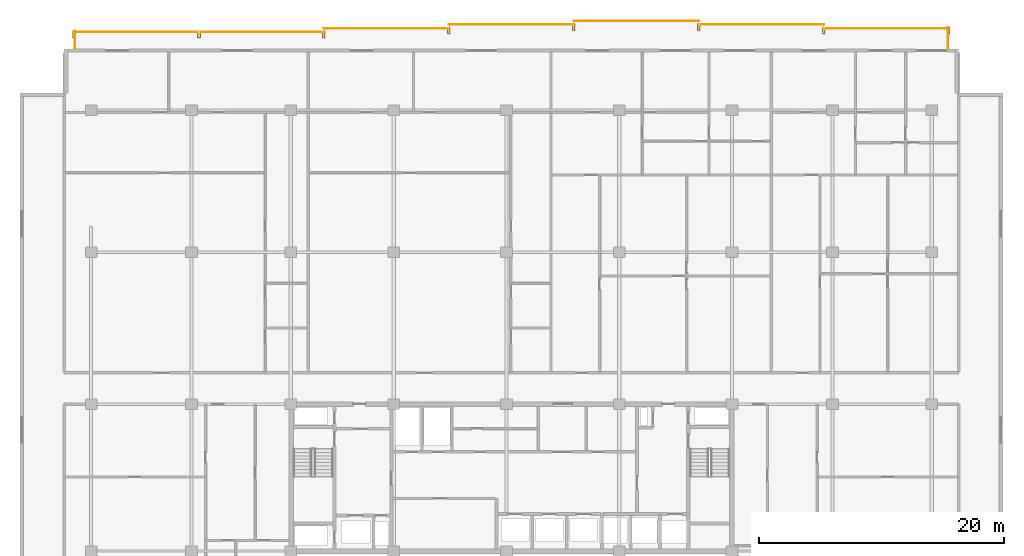
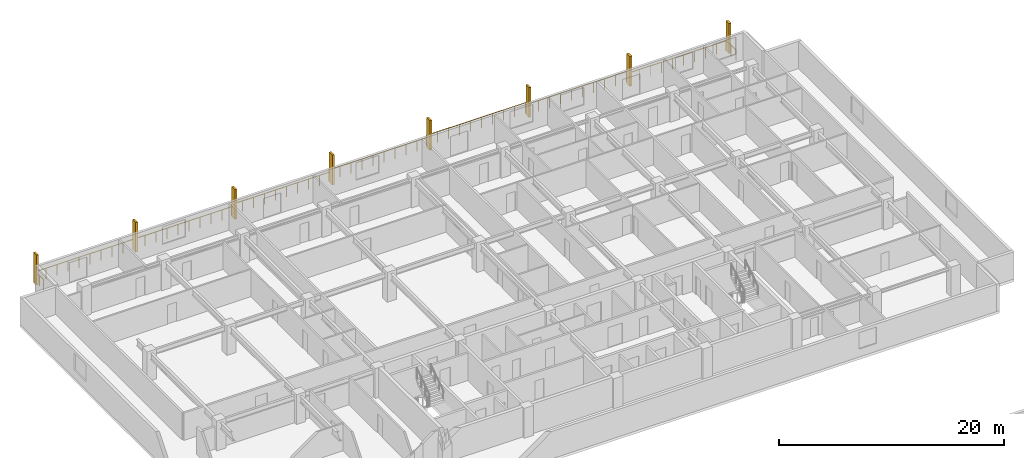
# One storey, part 21 of 21: 8 railings, 8 shading devices.
"""IFC4 building model written with IfcOpenShell, lengths in metres."""

import ifcopenshell
import ifcopenshell.guid

model = None  # the IFC model being written
_history = None  # IfcOwnerHistory: only IFC2X3 demands one
_inside = {}  # id of a spatial element -> (the spatial element, [elements in it])
_under = {}  # id of a project, library or spatial element -> (it, [spatial elements below it])
_declared = {}  # id of a project -> (the project, [libraries it declares])
_typed = {}  # id of a type object -> (the type object, [elements of that type])
_made_of = {}  # id of a material, layer set ... -> (it, [elements and type objects made of it])


def new_model(schema):
    """Start an empty IFC model of exactly this schema.

    Asked for "IFC4X3", IfcOpenShell would pick the latest addendum, in which some entities
    have other attributes; the version numbers below select the first issue.
    IFC2X3 requires an IfcOwnerHistory on every rooted entity: one is made here for all.
    """
    global model, _history
    if schema == "IFC4X3":
        model = ifcopenshell.file(schema_version=(4, 3, 0, 0))
    else:
        model = ifcopenshell.file(schema=schema)
    _inside.clear()
    _under.clear()
    _declared.clear()
    _typed.clear()
    _made_of.clear()
    _history = None
    if model.schema == "IFC2X3":
        org = make("IfcOrganization", Name="unknown")
        user = make(
            "IfcPersonAndOrganization",
            ThePerson=make("IfcPerson", FamilyName="unknown"),
            TheOrganization=org,
        )
        app = make(
            "IfcApplication",
            ApplicationDeveloper=org,
            Version="unknown",
            ApplicationFullName="unknown",
            ApplicationIdentifier="unknown",
        )
        _history = make(
            "IfcOwnerHistory",
            OwningUser=user,
            OwningApplication=app,
            ChangeAction="ADDED",
            CreationDate=0,
        )
    return model


def make(cls, **values):
    """One entity of the class cls with the attributes given. An attribute that is None is left unset."""
    return model.create_entity(
        cls, **{name: value for name, value in values.items() if value is not None}
    )


def rooted(cls, **values):
    """An entity with a GlobalId (a new one), such as an element, a storey or a relation."""
    return make(cls, GlobalId=ifcopenshell.guid.new(), OwnerHistory=_history, **values)


def si_unit(unit_type, name, prefix=None):
    """IfcSIUnit, for example si_unit("LENGTHUNIT", "METRE", prefix="MILLI")."""
    return make("IfcSIUnit", UnitType=unit_type, Prefix=prefix, Name=name)


def assignment(units):
    """IfcUnitAssignment: the units of a project."""
    return None if units is None else make("IfcUnitAssignment", Units=units)


def point(xyz):
    """IfcCartesianPoint."""
    return None if xyz is None else make("IfcCartesianPoint", Coordinates=xyz)


def direction(xyz):
    """IfcDirection."""
    return None if xyz is None else make("IfcDirection", DirectionRatios=xyz)


def frame(location, z_axis=None, x_axis=None):
    """IfcAxis2Placement3D, a coordinate frame: its origin and axes. An axis left out is left unset."""
    return make(
        "IfcAxis2Placement3D",
        Location=point(location),
        Axis=direction(z_axis),
        RefDirection=direction(x_axis),
    )


def frame_2d(location, x_axis=None):
    """IfcAxis2Placement2D, a coordinate frame in the plane: its origin and x axis."""
    return make(
        "IfcAxis2Placement2D", Location=point(location), RefDirection=direction(x_axis)
    )


def origin():
    """The frame at (0, 0, 0) with its axes left unset."""
    return frame((0.0, 0.0, 0.0))


def origin_2d():
    """The frame at (0, 0) in the plane with its x axis left unset."""
    return frame_2d((0.0, 0.0))


def place(relative_to, where):
    """IfcLocalPlacement: puts the frame where relative to a parent placement (None: the world)."""
    return make(
        "IfcLocalPlacement", PlacementRelTo=relative_to, RelativePlacement=where
    )


def context(
    kind, dimensions, precision=None, world=None, true_north=None, identifier=None
):
    """IfcGeometricRepresentationContext, for example the 3D "Model" context."""
    return make(
        "IfcGeometricRepresentationContext",
        ContextIdentifier=identifier,
        ContextType=kind,
        CoordinateSpaceDimension=dimensions,
        Precision=precision,
        WorldCoordinateSystem=world,
        TrueNorth=true_north,
    )


def subcontext(parent, identifier, kind, view, scale=None):
    """IfcGeometricRepresentationSubContext, for example "Body" below "Model"."""
    return make(
        "IfcGeometricRepresentationSubContext",
        ContextIdentifier=identifier,
        ContextType=kind,
        ParentContext=parent,
        TargetScale=scale,
        TargetView=view,
    )


def project(units=None, contexts=None):
    """IfcProject with its units and contexts."""
    return rooted(
        "IfcProject",
        Name="project",
        RepresentationContexts=contexts,
        UnitsInContext=assignment(units),
    )


def spatial(cls, under=None, at=None, **own):
    """A site, building, storey or space (cls), placed at a placement, below another one or the project."""
    s = rooted(cls, ObjectPlacement=at, **own)
    if under is not None:
        _under.setdefault(under.id(), (under, []))[1].append(s)
    return s


def profile(cls, at=None, kind="AREA", **sizes):
    """A parametric profile (cls). Its sizes go by their IFC names, for example OverallWidth=200.0."""
    return make(cls, ProfileType=kind, Position=at, **sizes)


def rectangle(**sizes):
    """IfcRectangleProfileDef."""
    return profile("IfcRectangleProfileDef", **sizes)


def circle(**sizes):
    """IfcCircleProfileDef."""
    return profile("IfcCircleProfileDef", **sizes)


def extrude(swept, where, along, depth):
    """IfcExtrudedAreaSolid: the profile swept, set in the frame where, extruded along a direction by depth."""
    return make(
        "IfcExtrudedAreaSolid",
        SweptArea=swept,
        Position=where,
        ExtrudedDirection=direction(along),
        Depth=depth,
    )


def shape(context_of_items, identifier, shape_type, items):
    """IfcShapeRepresentation: the items that make up one representation, for example the "Body"."""
    return make(
        "IfcShapeRepresentation",
        ContextOfItems=context_of_items,
        RepresentationIdentifier=identifier,
        RepresentationType=shape_type,
        Items=items,
    )


def material(Name=None, Category=None):
    """IfcMaterial."""
    return make("IfcMaterial", Name=Name, Category=Category)


def made_of(thing, what):
    """Note that an element or type object is made of a material, layer set ...; save() writes the relation."""
    if what is not None:
        _made_of.setdefault(what.id(), (what, []))[1].append(thing)
    return thing


def type_object(cls, material=None, **own):
    """A type object (cls), such as IfcWallType, which elements share."""
    return made_of(rooted(cls, **own), material)


def element(
    cls,
    number,
    at=None,
    inside=None,
    cuts=None,
    type_object=None,
    material=None,
    context=None,
    identifier="Body",
    shape_type=None,
    held_by="IfcProductDefinitionShape",
    body=None,
    shapes=None,
    **own,
):
    """One element of the class cls, such as IfcWall. Its Tag is "e" and its number.

    at: its placement. inside: the storey or other place that contains it. cuts: it is an
    opening in that element (IfcRelVoidsElement). A single representation is given by context,
    identifier, shape_type and body (its items); several are given by shapes. held_by: the class
    of the entity that holds the representations. save() writes the other relations.
    """
    e = rooted(cls, Tag="e%d" % number, ObjectPlacement=at, **own)
    if body is not None:
        shapes = [shape(context, identifier, shape_type, body)]
    if shapes is not None:
        e.Representation = make(held_by, Representations=shapes)
    if inside is not None:
        _inside.setdefault(inside.id(), (inside, []))[1].append(e)
    if cuts is not None:
        rooted(
            "IfcRelVoidsElement", RelatingBuildingElement=cuts, RelatedOpeningElement=e
        )
    if type_object is not None:
        _typed.setdefault(type_object.id(), (type_object, []))[1].append(e)
    return made_of(e, material)


def aggregate(whole, parts):
    """IfcRelAggregates: a whole, such as a stair, and the parts it consists of."""
    return rooted("IfcRelAggregates", RelatingObject=whole, RelatedObjects=parts)


def save(model, path):
    """Write the relations noted so far, then the file.

    IfcRelAggregates (storeys below a building ...), IfcRelContainedInSpatialStructure (elements
    in a storey), IfcRelDefinesByType, IfcRelAssociatesMaterial and IfcRelDeclares: one each for
    every whole, place, type object, material and project.
    """
    for whole, parts in _under.values():
        aggregate(whole, parts)
    for where, things in _inside.values():
        rooted(
            "IfcRelContainedInSpatialStructure",
            RelatedElements=things,
            RelatingStructure=where,
        )
    for kind, things in _typed.values():
        rooted("IfcRelDefinesByType", RelatedObjects=things, RelatingType=kind)
    for what, things in _made_of.values():
        rooted("IfcRelAssociatesMaterial", RelatedObjects=things, RelatingMaterial=what)
    for by, libraries in _declared.values():
        rooted("IfcRelDeclares", RelatingContext=by, RelatedDefinitions=libraries)
    model.write(path)


model = new_model("IFC4")

# Units and contexts
model_context = context("Model", 3, precision=1e-05, world=origin(), true_north=direction((0.0, 1.0)))
body_context = subcontext(model_context, "Body", "Model", "MODEL_VIEW")
ifc_project = project(units=[si_unit("LENGTHUNIT", "METRE"), si_unit("AREAUNIT", "SQUARE_METRE"), si_unit("VOLUMEUNIT", "CUBIC_METRE"), si_unit("PLANEANGLEUNIT", "RADIAN"), si_unit("MASSUNIT", "GRAM", prefix="KILO")], contexts=[model_context])

# Site, building, storey
site_placement = place(None, origin())
site = spatial("IfcSite", under=ifc_project, at=site_placement, CompositionType="ELEMENT")
building_placement = place(site_placement, origin())
building = spatial("IfcBuilding", under=site, at=building_placement, Name="Korimba Cascade Residences", CompositionType="ELEMENT")
storey_placement = place(building_placement, frame((0.0, 0.0, 123.050048828125)))
storey = spatial("IfcBuildingStorey", under=building, at=storey_placement, Name="L35", CompositionType="ELEMENT", Elevation=123.050048828125)

# Railings
ifc_material_1 = material(Name="Laminated Glass and Bronze Balustrade", Category="glass")
railing_type = type_object("IfcRailingType", Name="RLG-LOG-1150", PredefinedType="BALUSTRADE", material=ifc_material_1)
railing_1_placement = place(storey_placement, frame((129.719970703125, 96.199951171875, 0.0)))
element("IfcRailing", 1, at=railing_1_placement, inside=storey, type_object=railing_type, Name="L35 Perimeter Guardrail RLG-L35-T1-LOG-01", PredefinedType="BALUSTRADE", context=body_context, shape_type="SweptSolid", body=[
    extrude(circle(Radius=0.02392578125, at=origin_2d()), frame((0.0, 0.0, 1.1259765625), z_axis=(0.0, 1.0, 0.0), x_axis=(-1.0, 0.0, 0.0)), (0.0, 0.0, 1.0), 1.75),
    extrude(circle(Radius=0.02099609375, at=origin_2d()), origin(), (0.0, 0.0, 1.0), 1.101806640625),
    extrude(circle(Radius=0.02099609375, at=origin_2d()), frame((0.0, 0.875, 0.0)), (0.0, 0.0, 1.0), 1.101806640625),
    extrude(circle(Radius=0.02099609375, at=origin_2d()), frame((0.0, 1.75, 0.0)), (0.0, 0.0, 1.0), 1.101806640625),
])
railing_2_placement = place(storey_placement, frame((129.800048828125, 97.8701171875, 0.0)))
element("IfcRailing", 2, at=railing_2_placement, inside=storey, type_object=railing_type, Name="L35 Perimeter Guardrail RLG-L35-T1-LOG-02", PredefinedType="BALUSTRADE", context=body_context, shape_type="SweptSolid", body=[
    extrude(circle(Radius=0.02392578125, at=origin_2d()), frame((0.0, 0.0, 1.1259765625), z_axis=(-1.0, 0.0, 0.0), x_axis=(0.0, -1.0, 0.0)), (0.0, 0.0, 1.0), 10.199951171875),
    extrude(circle(Radius=0.02099609375, at=origin_2d()), origin(), (0.0, 0.0, 1.0), 1.101806640625),
    extrude(circle(Radius=0.02099609375, at=origin_2d()), frame((-1.13330078125, 0.0, 0.0)), (0.0, 0.0, 1.0), 1.101806640625),
    extrude(circle(Radius=0.02099609375, at=origin_2d()), frame((-2.2666015625, 0.0, 0.0)), (0.0, 0.0, 1.0), 1.101806640625),
    extrude(circle(Radius=0.02099609375, at=origin_2d()), frame((-3.39990234375, 0.0, 0.0)), (0.0, 0.0, 1.0), 1.101806640625),
    extrude(circle(Radius=0.02099609375, at=origin_2d()), frame((-4.533203125, 0.0, 0.0)), (0.0, 0.0, 1.0), 1.101806640625),
    extrude(circle(Radius=0.02099609375, at=origin_2d()), frame((-5.666748046875, 0.0, 0.0)), (0.0, 0.0, 1.0), 1.101806640625),
    extrude(circle(Radius=0.02099609375, at=origin_2d()), frame((-6.800048828125, 0.0, 0.0)), (0.0, 0.0, 1.0), 1.101806640625),
    extrude(circle(Radius=0.02099609375, at=origin_2d()), frame((-7.933349609375, 0.0, 0.0)), (0.0, 0.0, 1.0), 1.101806640625),
    extrude(circle(Radius=0.02099609375, at=origin_2d()), frame((-9.066650390625, 0.0, 0.0)), (0.0, 0.0, 1.0), 1.101806640625),
    extrude(circle(Radius=0.02099609375, at=origin_2d()), frame((-10.199951171875, 0.0, 0.0)), (0.0, 0.0, 1.0), 1.101806640625),
])
railing_3_placement = place(storey_placement, frame((119.60009765625, 98.169921875, 0.0)))
element("IfcRailing", 3, at=railing_3_placement, inside=storey, type_object=railing_type, Name="L35 Perimeter Guardrail RLG-L35-T1-LOG-03", PredefinedType="BALUSTRADE", context=body_context, shape_type="SweptSolid", body=[
    extrude(circle(Radius=0.02392578125, at=origin_2d()), frame((0.0, 0.0, 1.1259765625), z_axis=(-1.0, 0.0, 0.0), x_axis=(0.0, -1.0, 0.0)), (0.0, 0.0, 1.0), 10.2001953125),
    extrude(circle(Radius=0.02099609375, at=origin_2d()), origin(), (0.0, 0.0, 1.0), 1.101806640625),
    extrude(circle(Radius=0.02099609375, at=origin_2d()), frame((-1.13330078125, 0.0, 0.0)), (0.0, 0.0, 1.0), 1.101806640625),
    extrude(circle(Radius=0.02099609375, at=origin_2d()), frame((-2.2666015625, 0.0, 0.0)), (0.0, 0.0, 1.0), 1.101806640625),
    extrude(circle(Radius=0.02099609375, at=origin_2d()), frame((-3.400146484375, 0.0, 0.0)), (0.0, 0.0, 1.0), 1.101806640625),
    extrude(circle(Radius=0.02099609375, at=origin_2d()), frame((-4.533447265625, 0.0, 0.0)), (0.0, 0.0, 1.0), 1.101806640625),
    extrude(circle(Radius=0.02099609375, at=origin_2d()), frame((-5.666748046875, 0.0, 0.0)), (0.0, 0.0, 1.0), 1.101806640625),
    extrude(circle(Radius=0.02099609375, at=origin_2d()), frame((-6.800048828125, 0.0, 0.0)), (0.0, 0.0, 1.0), 1.101806640625),
    extrude(circle(Radius=0.02099609375, at=origin_2d()), frame((-7.93359375, 0.0, 0.0)), (0.0, 0.0, 1.0), 1.101806640625),
    extrude(circle(Radius=0.02099609375, at=origin_2d()), frame((-9.06689453125, 0.0, 0.0)), (0.0, 0.0, 1.0), 1.101806640625),
    extrude(circle(Radius=0.02099609375, at=origin_2d()), frame((-10.2001953125, 0.0, 0.0)), (0.0, 0.0, 1.0), 1.101806640625),
])
for number, where, name in (
    (4, (109.39990234375, 98.469970703125, 0.0), "L35 Perimeter Guardrail RLG-L35-T1-LOG-04"),
    (5, (99.199951171875, 98.169921875, 0.0), "L35 Perimeter Guardrail RLG-L35-T1-LOG-05"),
    (6, (89.0, 97.8701171875, 0.0), "L35 Perimeter Guardrail RLG-L35-T1-LOG-06"),
):
    element("IfcRailing", number, at=place(storey_placement, frame(where)), inside=storey, type_object=railing_type, Name=name, PredefinedType="BALUSTRADE", context=body_context, shape_type="SweptSolid", body=[
        extrude(circle(Radius=0.02392578125, at=origin_2d()), frame((0.0, 0.0, 1.1259765625), z_axis=(-1.0, 0.0, 0.0), x_axis=(0.0, -1.0, 0.0)), (0.0, 0.0, 1.0), 10.199951171875),
        extrude(circle(Radius=0.02099609375, at=origin_2d()), origin(), (0.0, 0.0, 1.0), 1.101806640625),
        extrude(circle(Radius=0.02099609375, at=origin_2d()), frame((-1.13330078125, 0.0, 0.0)), (0.0, 0.0, 1.0), 1.101806640625),
        extrude(circle(Radius=0.02099609375, at=origin_2d()), frame((-2.2666015625, 0.0, 0.0)), (0.0, 0.0, 1.0), 1.101806640625),
        extrude(circle(Radius=0.02099609375, at=origin_2d()), frame((-3.39990234375, 0.0, 0.0)), (0.0, 0.0, 1.0), 1.101806640625),
        extrude(circle(Radius=0.02099609375, at=origin_2d()), frame((-4.533203125, 0.0, 0.0)), (0.0, 0.0, 1.0), 1.101806640625),
        extrude(circle(Radius=0.02099609375, at=origin_2d()), frame((-5.666748046875, 0.0, 0.0)), (0.0, 0.0, 1.0), 1.101806640625),
        extrude(circle(Radius=0.02099609375, at=origin_2d()), frame((-6.800048828125, 0.0, 0.0)), (0.0, 0.0, 1.0), 1.101806640625),
        extrude(circle(Radius=0.02099609375, at=origin_2d()), frame((-7.933349609375, 0.0, 0.0)), (0.0, 0.0, 1.0), 1.101806640625),
        extrude(circle(Radius=0.02099609375, at=origin_2d()), frame((-9.066650390625, 0.0, 0.0)), (0.0, 0.0, 1.0), 1.101806640625),
        extrude(circle(Radius=0.02099609375, at=origin_2d()), frame((-10.199951171875, 0.0, 0.0)), (0.0, 0.0, 1.0), 1.101806640625),
    ])
railing_4_placement = place(storey_placement, frame((78.800048828125, 97.570068359375, 0.0)))
element("IfcRailing", 7, at=railing_4_placement, inside=storey, type_object=railing_type, Name="L35 Perimeter Guardrail RLG-L35-T1-LOG-07", PredefinedType="BALUSTRADE", context=body_context, shape_type="SweptSolid", body=[
    extrude(circle(Radius=0.02392578125, at=origin_2d()), frame((0.0, 0.0, 1.1259765625), z_axis=(-1.0, 0.0, 0.0), x_axis=(0.0, -1.0, 0.0)), (0.0, 0.0, 1.0), 20.400146484375),
    extrude(circle(Radius=0.02099609375, at=origin_2d()), origin(), (0.0, 0.0, 1.0), 1.101806640625),
    extrude(circle(Radius=0.02099609375, at=origin_2d()), frame((-1.13330078125, 0.0, 0.0)), (0.0, 0.0, 1.0), 1.101806640625),
    extrude(circle(Radius=0.02099609375, at=origin_2d()), frame((-2.2666015625, 0.0, 0.0)), (0.0, 0.0, 1.0), 1.101806640625),
    extrude(circle(Radius=0.02099609375, at=origin_2d()), frame((-3.39990234375, 0.0, 0.0)), (0.0, 0.0, 1.0), 1.101806640625),
    extrude(circle(Radius=0.02099609375, at=origin_2d()), frame((-4.533447265625, 0.0, 0.0)), (0.0, 0.0, 1.0), 1.101806640625),
    extrude(circle(Radius=0.02099609375, at=origin_2d()), frame((-5.666748046875, 0.0, 0.0)), (0.0, 0.0, 1.0), 1.101806640625),
    extrude(circle(Radius=0.02099609375, at=origin_2d()), frame((-6.800048828125, 0.0, 0.0)), (0.0, 0.0, 1.0), 1.101806640625),
    extrude(circle(Radius=0.02099609375, at=origin_2d()), frame((-7.933349609375, 0.0, 0.0)), (0.0, 0.0, 1.0), 1.101806640625),
    extrude(circle(Radius=0.02099609375, at=origin_2d()), frame((-9.066650390625, 0.0, 0.0)), (0.0, 0.0, 1.0), 1.101806640625),
    extrude(circle(Radius=0.02099609375, at=origin_2d()), frame((-10.2001953125, 0.0, 0.0)), (0.0, 0.0, 1.0), 1.101806640625),
    extrude(circle(Radius=0.02099609375, at=origin_2d()), frame((-11.33349609375, 0.0, 0.0)), (0.0, 0.0, 1.0), 1.101806640625),
    extrude(circle(Radius=0.02099609375, at=origin_2d()), frame((-12.466796875, 0.0, 0.0)), (0.0, 0.0, 1.0), 1.101806640625),
    extrude(circle(Radius=0.02099609375, at=origin_2d()), frame((-13.60009765625, 0.0, 0.0)), (0.0, 0.0, 1.0), 1.101806640625),
    extrude(circle(Radius=0.02099609375, at=origin_2d()), frame((-14.7333984375, 0.0, 0.0)), (0.0, 0.0, 1.0), 1.101806640625),
    extrude(circle(Radius=0.02099609375, at=origin_2d()), frame((-15.86669921875, 0.0, 0.0)), (0.0, 0.0, 1.0), 1.101806640625),
    extrude(circle(Radius=0.02099609375, at=origin_2d()), frame((-17.0, 0.0, 0.0)), (0.0, 0.0, 1.0), 1.101806640625),
    extrude(circle(Radius=0.02099609375, at=origin_2d()), frame((-18.133544921875, 0.0, 0.0)), (0.0, 0.0, 1.0), 1.101806640625),
    extrude(circle(Radius=0.02099609375, at=origin_2d()), frame((-19.266845703125, 0.0, 0.0)), (0.0, 0.0, 1.0), 1.101806640625),
    extrude(circle(Radius=0.02099609375, at=origin_2d()), frame((-20.400146484375, 0.0, 0.0)), (0.0, 0.0, 1.0), 1.101806640625),
])
railing_5_placement = place(storey_placement, frame((58.47998046875, 97.64990234375, 0.0)))
element("IfcRailing", 8, at=railing_5_placement, inside=storey, type_object=railing_type, Name="L35 Perimeter Guardrail RLG-L35-T1-LOG-08", PredefinedType="BALUSTRADE", context=body_context, shape_type="SweptSolid", body=[
    extrude(circle(Radius=0.02392578125, at=origin_2d()), frame((0.0, 0.0, 1.1259765625), z_axis=(0.0, -1.0, 0.0), x_axis=(1.0, 0.0, 0.0)), (0.0, 0.0, 1.0), 1.449951171875),
    extrude(circle(Radius=0.02099609375, at=origin_2d()), origin(), (0.0, 0.0, 1.0), 1.101806640625),
    extrude(circle(Radius=0.02099609375, at=origin_2d()), frame((0.0, -0.72509765625, 0.0)), (0.0, 0.0, 1.0), 1.101806640625),
    extrude(circle(Radius=0.02099609375, at=origin_2d()), frame((0.0, -1.449951171875, 0.0)), (0.0, 0.0, 1.0), 1.101806640625),
])

# Shading devices
ifc_material_2 = material(Name="Honed Sandstone Precast Fin", Category="masonry")
shading_device_type = type_object("IfcShadingDeviceType", Name="SHD-FIN-550", PredefinedType="USERDEFINED", material=ifc_material_2)
for number, where, z_axis, x_axis, name in (
    (9, (58.39990234375, 97.375, 0.0), (0.0, 0.0, 1.0), (1.0, 0.0, 0.0), "L35 T1 Warm-Stone Loggia Fin 1"),
    (10, (68.60009765625, 97.375, 0.0), (0.0, 0.0, 1.0), (1.0, 0.0, 0.0), "L35 T1 Warm-Stone Loggia Fin 2"),
    (11, (78.800048828125, 97.375, 0.0), (0.0, 0.0, 1.0), (1.0, 0.0, 0.0), "L35 T1 Warm-Stone Loggia Fin 3"),
    (12, (89.0, 97.675048828125, 0.0), (0.0, 0.0, 1.0), (1.0, 0.0, 0.0), "L35 T1 Warm-Stone Loggia Fin 4"),
    (13, (99.199951171875, 97.97509765625, 0.0), (0.0, 0.0, 1.0), (1.0, 0.0, 0.0), "L35 T1 Warm-Stone Loggia Fin 5"),
    (14, (109.39990234375, 97.97509765625, 0.0), (0.0, 0.0, 1.0), (1.0, 0.0, 0.0), "L35 T1 Warm-Stone Loggia Fin 6"),
    (15, (119.60009765625, 97.675048828125, 0.0), (0.0, 0.0, 1.0), (1.0, 0.0, 0.0), "L35 T1 Warm-Stone Loggia Fin 7"),
    (16, (129.800048828125, 97.675048828125, 0.0), (0.0, 0.0, 1.0), (1.0, 0.0, 0.0), "L35 T1 Warm-Stone Loggia Fin 8"),
):
    element("IfcShadingDevice", number, at=place(storey_placement, frame(where, z_axis=z_axis, x_axis=x_axis)), inside=storey, type_object=shading_device_type, Name=name, ObjectType="FIN", PredefinedType="USERDEFINED", context=body_context, shape_type="SweptSolid", body=[
        extrude(rectangle(XDim=0.219970703125, YDim=0.550048828125, at=origin_2d()), origin(), (0.0, 0.0, 1.0), 3.25),
    ])

save(model, "model.ifc")
